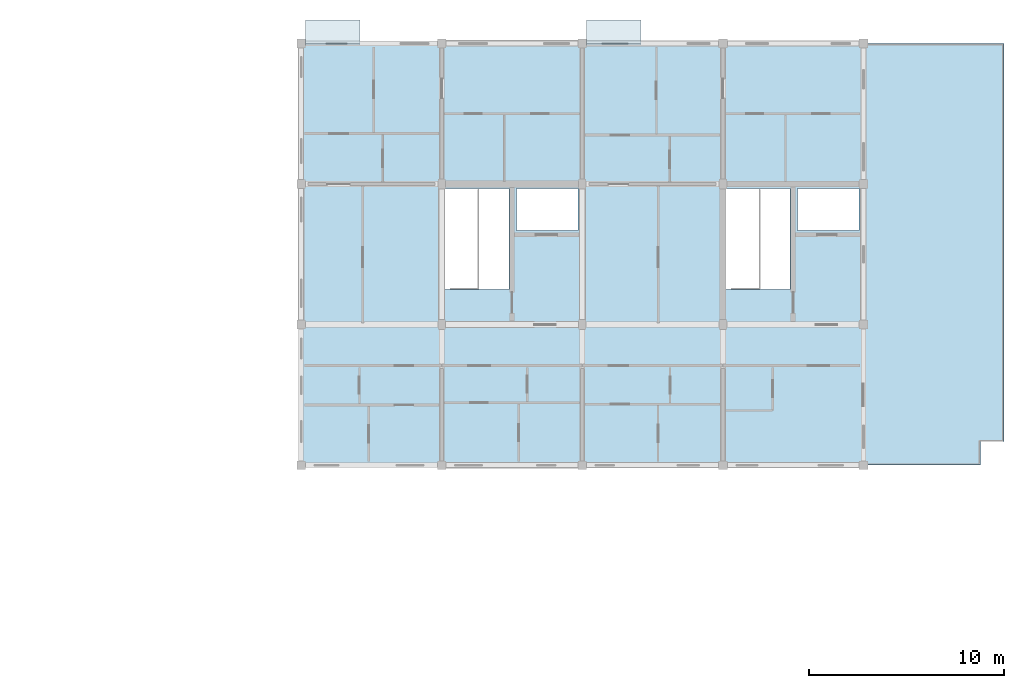
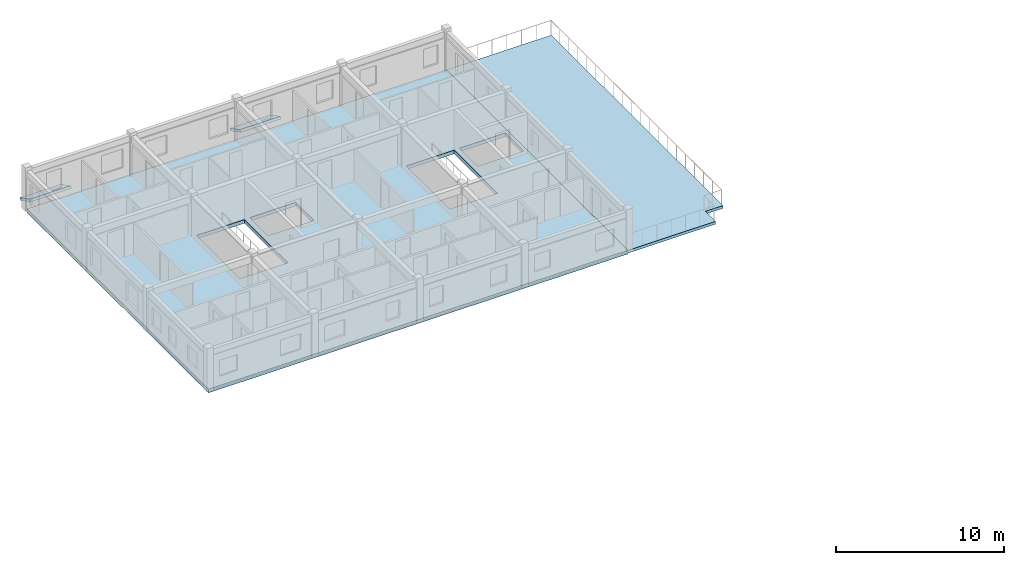
# One storey, part 11 of 23: 4 slabs.
"""IFC4 building model written with IfcOpenShell, lengths in metres."""

from ifc_helpers import new_model, si_unit, direction, frame, origin, place, context, subcontext, project, spatial, polyline, outline, extrude, material, layer, layer_set, type_object, element, save


model = new_model("IFC4")

# Units and contexts
model_context = context("Model", 3, precision=1e-05, world=origin(), true_north=direction((0.0, 1.0)))
body_context = subcontext(model_context, "Body", "Model", "MODEL_VIEW")
ifc_project = project(units=[si_unit("LENGTHUNIT", "METRE"), si_unit("AREAUNIT", "SQUARE_METRE"), si_unit("VOLUMEUNIT", "CUBIC_METRE"), si_unit("PLANEANGLEUNIT", "RADIAN"), si_unit("MASSUNIT", "GRAM", prefix="KILO"), si_unit("THERMODYNAMICTEMPERATUREUNIT", "KELVIN"), si_unit("POWERUNIT", "WATT")], contexts=[model_context])

# Site, building, storey
site_placement = place(None, origin())
site = spatial("IfcSite", under=ifc_project, at=site_placement, CompositionType="ELEMENT")
building_placement = place(site_placement, origin())
building = spatial("IfcBuilding", under=site, at=building_placement, Name="Tavuni Mirador Residences", CompositionType="ELEMENT")
storey_placement = place(building_placement, frame((0.0, 0.0, 42.300048828125)))
storey = spatial("IfcBuildingStorey", under=building, at=storey_placement, Name="L13", CompositionType="ELEMENT", Elevation=42.300048828125)

# Slabs
ifc_material_1 = material(Name="Prestressed concrete C45/55", Category="concrete")
ifc_layer_1 = layer(ifc_material_1, 0.264892578125, Name="Prestressed concrete C45/55", Category="concrete")
ifc_layer_set_1 = layer_set([ifc_layer_1], Name="Prestressed concrete C45/55")
slab_type_1 = type_object("IfcSlabType", Name="SLT-FLR265", PredefinedType="FLOOR", material=ifc_layer_set_1)
slab_1_placement = place(storey_placement, frame((0.0, 0.0, -0.26513671875)))
element("IfcSlab", 1, at=slab_1_placement, inside=storey, type_object=slab_type_1, Name="SLB-BLK-C-L13", PredefinedType="FLOOR", context=body_context, shape_type="SweptSolid", body=[
    extrude(outline(polyline([(18.0, 151.199951171875), (46.800048828125, 151.199951171875), (46.800048828125, 172.800048828125), (18.0, 172.800048828125), (18.0, 151.199951171875)]), holes=[polyline([(25.360107421875, 160.2080078125), (28.639892578125, 160.2080078125), (28.639892578125, 165.360107421875), (25.360107421875, 165.360107421875), (25.360107421875, 160.2080078125)]), polyline([(29.02001953125, 163.219970703125), (32.179931640625, 163.219970703125), (32.179931640625, 165.3798828125), (29.02001953125, 165.3798828125), (29.02001953125, 163.219970703125)]), polyline([(39.760009765625, 160.2080078125), (43.0400390625, 160.2080078125), (43.0400390625, 165.360107421875), (39.760009765625, 165.360107421875), (39.760009765625, 160.2080078125)]), polyline([(43.419921875, 163.219970703125), (46.580078125, 163.219970703125), (46.580078125, 165.3798828125), (43.419921875, 165.3798828125), (43.419921875, 163.219970703125)])]), origin(), (0.0, 0.0, 1.0), 0.26513671875),
])
ifc_material_2 = material(Name="Precast concrete C40/50", Category="concrete")
ifc_layer_2 = layer(ifc_material_2, 0.175048828125, Name="Precast concrete C40/50", Category="concrete")
ifc_layer_set_2 = layer_set([ifc_layer_2], Name="Precast concrete C40/50")
slab_type_2 = type_object("IfcSlabType", Name="SLT-RF175", PredefinedType="ROOF", material=ifc_layer_set_2)
for number, where, z_axis, x_axis, name in (
    (2, (18.22509765625, 172.800048828125, 0.619873046875), (0.0, 0.458960601939, 0.888456620138), (1.0, 0.0, 0.0), "Mirador roof hood MIR-C-N1"),
    (3, (32.625, 172.800048828125, 0.619873046875), (0.0, 0.458960601939, 0.888456620138), (1.0, 0.0, 0.0), "Mirador roof hood MIR-C-N2"),
):
    element("IfcSlab", number, at=place(storey_placement, frame(where, z_axis=z_axis, x_axis=x_axis)), inside=storey, type_object=slab_type_2, Name=name, PredefinedType="ROOF", context=body_context, shape_type="SweptSolid", body=[
        extrude(outline(polyline([(0.0, 0.0), (2.794921875, 0.0), (2.794921875, 1.3506018692147148), (0.0, 1.3506018692147148), (0.0, 0.0)])), origin(), (0.0, 0.0, -1.0), 0.175048828125),
    ])
ifc_layer_3 = layer(ifc_material_1, 0.205078125, Name="Prestressed concrete C45/55", Category="concrete")
ifc_layer_set_3 = layer_set([ifc_layer_3], Name="Prestressed concrete C45/55")
slab_type_3 = type_object("IfcSlabType", Name="SLT-TER205", PredefinedType="FLOOR", material=ifc_layer_set_3)
slab_2_placement = place(storey_placement, frame((0.0, 0.0, -0.205078125)))
element("IfcSlab", 4, at=slab_2_placement, inside=storey, type_object=slab_type_3, Name="Roof terrace TER-C-L13", PredefinedType="FLOOR", context=body_context, shape_type="SweptSolid", body=[
    extrude(outline(polyline([(46.800048828125, 151.199951171875), (52.800048828125, 151.199951171875), (52.800048828125, 152.39990234375), (54.0, 152.39990234375), (54.0, 172.800048828125), (46.800048828125, 172.800048828125), (46.800048828125, 151.199951171875)])), origin(), (0.0, 0.0, 1.0), 0.205078125),
])

save(model, "model.ifc")
